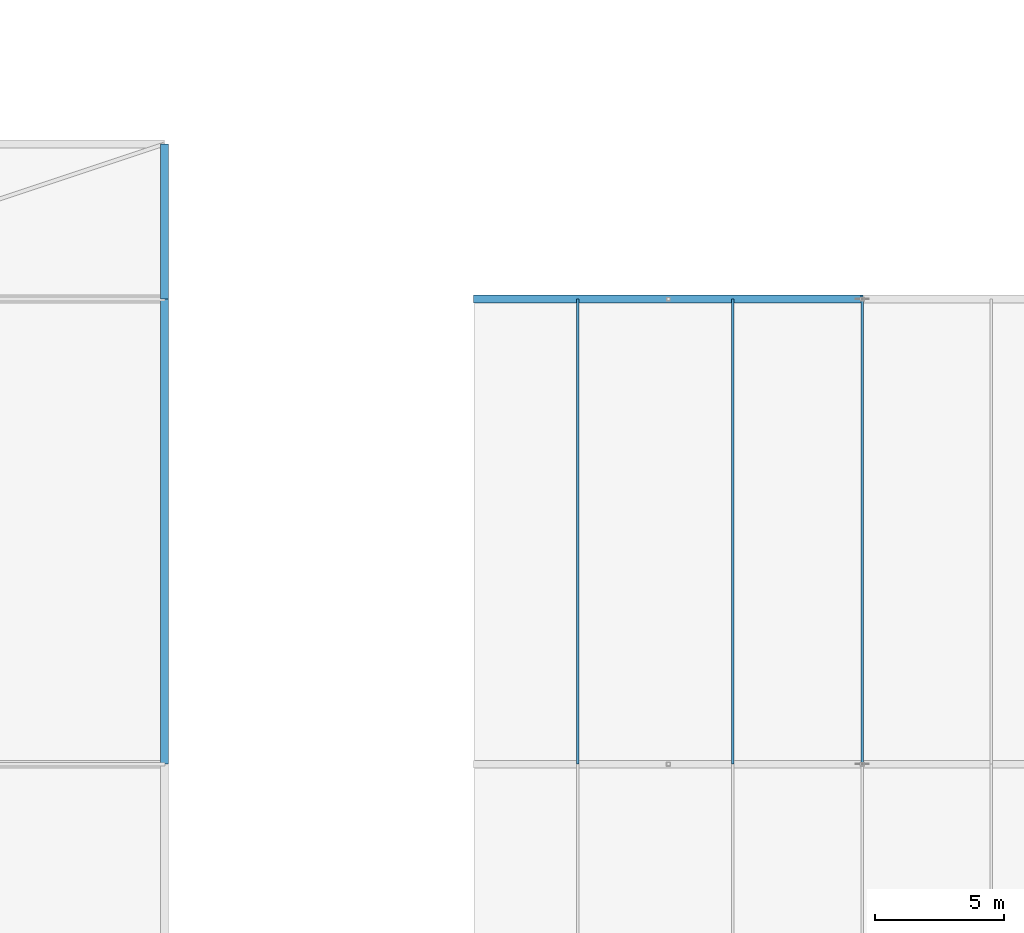
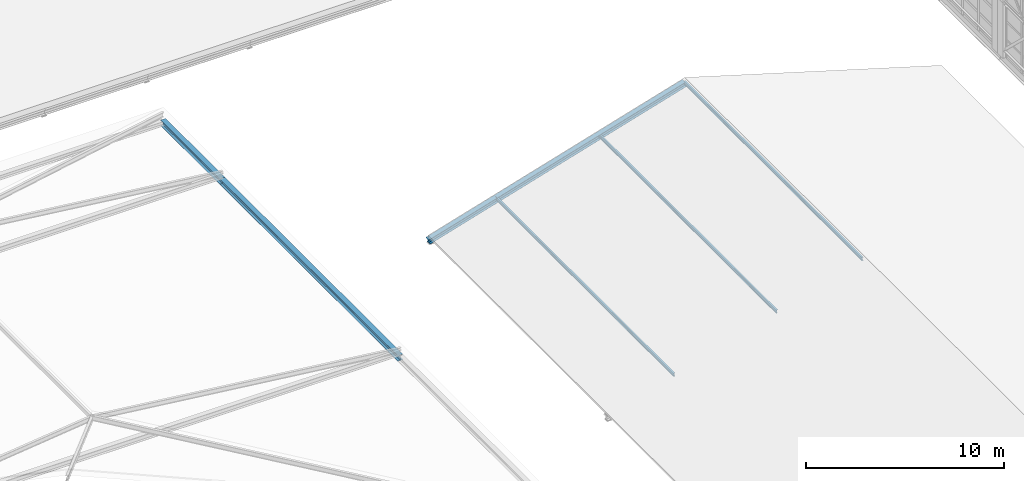
# One storey, part 64 of 204: 4 members, 2 beams.
"""IFC4 building model written with IfcOpenShell, lengths in metres."""

from ifc_helpers import new_model, si_unit, direction, frame, origin, origin_2d, place, context, subcontext, project, spatial, i_section, extrude, material, material_profile, profile_set, type_object, element, save


model = new_model("IFC4")

# Units and contexts
model_context = context("Model", 3, precision=1e-05, world=origin(), true_north=direction((0.0, 1.0)))
body_context = subcontext(model_context, "Body", "Model", "MODEL_VIEW")
ifc_project = project(units=[si_unit("LENGTHUNIT", "METRE"), si_unit("AREAUNIT", "SQUARE_METRE"), si_unit("VOLUMEUNIT", "CUBIC_METRE"), si_unit("PLANEANGLEUNIT", "RADIAN"), si_unit("MASSUNIT", "GRAM", prefix="KILO")], contexts=[model_context])

# Site, building, storey
site_placement = place(None, origin())
site = spatial("IfcSite", under=ifc_project, at=site_placement, CompositionType="ELEMENT")
building_placement = place(site_placement, origin())
building = spatial("IfcBuilding", under=site, at=building_placement, Name="Zilviju Railside Exhibition Hall", CompositionType="ELEMENT")
storey_placement = place(building_placement, frame((0.0, 0.0, 21.0)))
storey = spatial("IfcBuildingStorey", under=building, at=storey_placement, Name="RF", CompositionType="ELEMENT", Elevation=21.0)

# Beams
ifc_material = material(Name="Steel S355J2", Category="steel")
ifc_material_profile_1 = material_profile(ifc_material, i_section(OverallWidth=0.300048828125, OverallDepth=0.35009765625, WebThickness=0.010009765625, FlangeThickness=0.017578125, at=origin_2d()), Name="HEA 360")
ifc_profile_set_1 = profile_set([ifc_material_profile_1], Name="Steel S355J2")
beam_type = type_object("IfcBeamType", Name="BM-HEA360", PredefinedType="BEAM", material=ifc_profile_set_1)
beam_1_placement = place(storey_placement, frame((36.0, 102.0, -0.5), z_axis=(0.0, 1.0, 0.0), x_axis=(-1.0, 0.0, 0.0)))
element("IfcBeam", 1, at=beam_1_placement, inside=storey, type_object=beam_type, Name="Directorate Eave Beam X=36.0", PredefinedType="BEAM", context=body_context, shape_type="SweptSolid", body=[
    extrude(i_section(OverallWidth=0.300048828125, OverallDepth=0.35009765625, WebThickness=0.010009765625, FlangeThickness=0.017578125, at=origin_2d()), origin(), (0.0, 0.0, 1.0), 18.0),
])
beam_2_placement = place(storey_placement, frame((36.0, 120.0, -0.5), z_axis=(0.0, 1.0, 0.0), x_axis=(-1.0, 0.0, 0.0)))
element("IfcBeam", 2, at=beam_2_placement, inside=storey, type_object=beam_type, Name="Directorate Eave Beam X=36.0", PredefinedType="BEAM", context=body_context, shape_type="SweptSolid", body=[
    extrude(i_section(OverallWidth=0.300048828125, OverallDepth=0.35009765625, WebThickness=0.010009765625, FlangeThickness=0.017578125, at=origin_2d()), origin(), (0.0, 0.0, 1.0), 6.0),
])

# Members
ifc_material_profile_2 = material_profile(ifc_material, i_section(OverallWidth=0.10009765625, OverallDepth=0.199951171875, WebThickness=0.005615234375, FlangeThickness=0.008544921875, at=origin_2d()), Name="IPE 200")
ifc_profile_set_2 = profile_set([ifc_material_profile_2], Name="Steel S355J2")
member_type_1 = type_object("IfcMemberType", Name="TR-PUR-IPE200", PredefinedType="PURLIN", material=ifc_profile_set_2)
for number, where, z_axis, x_axis, name in (
    (3, (52.0, 102.0, -7.159912109375), (0.0, 1.0, 0.0), (-1.0, 0.0, 0.0), "Concourse Lantern Purlin X=52.0"),
    (4, (58.0, 102.0, -5.360107421875), (0.0, 1.0, 0.0), (-1.0, 0.0, 0.0), "Concourse Lantern Purlin X=58.0"),
    (5, (63.0, 102.0, -3.860107421875), (0.0, 1.0, 0.0), (-1.0, 0.0, 0.0), "Concourse Lantern Purlin X=63.0"),
):
    element("IfcMember", number, at=place(storey_placement, frame(where, z_axis=z_axis, x_axis=x_axis)), inside=storey, type_object=member_type_1, Name=name, PredefinedType="PURLIN", context=body_context, shape_type="SweptSolid", body=[
        extrude(i_section(OverallWidth=0.10009765625, OverallDepth=0.199951171875, WebThickness=0.005615234375, FlangeThickness=0.008544921875, at=origin_2d()), origin(), (0.0, 0.0, 1.0), 18.0),
    ])
ifc_material_profile_3 = material_profile(ifc_material, i_section(OverallWidth=0.300048828125, OverallDepth=0.2900390625, WebThickness=0.008544921875, FlangeThickness=0.013916015625, at=origin_2d()), Name="HEA 300")
ifc_profile_set_3 = profile_set([ifc_material_profile_3], Name="Steel S355J2")
member_type_2 = type_object("IfcMemberType", Name="TR-RAF-HEA300", PredefinedType="RAFTER", material=ifc_profile_set_3)
member_placement = place(storey_placement, frame((48.0, 120.0, -8.39990234375), z_axis=(0.957826285221, 0.0, 0.287347885566), x_axis=(0.0, 1.0, 0.0)))
element("IfcMember", 6, at=member_placement, inside=storey, type_object=member_type_2, Name="Concourse Saddle West Rafter Y=120.0", PredefinedType="RAFTER", context=body_context, shape_type="SweptSolid", body=[
    extrude(i_section(OverallWidth=0.300048828125, OverallDepth=0.2900390625, WebThickness=0.008544921875, FlangeThickness=0.013916015625, at=origin_2d()), origin(), (0.0, 0.0, 1.0), 15.660400390625),
])

save(model, "model.ifc")
